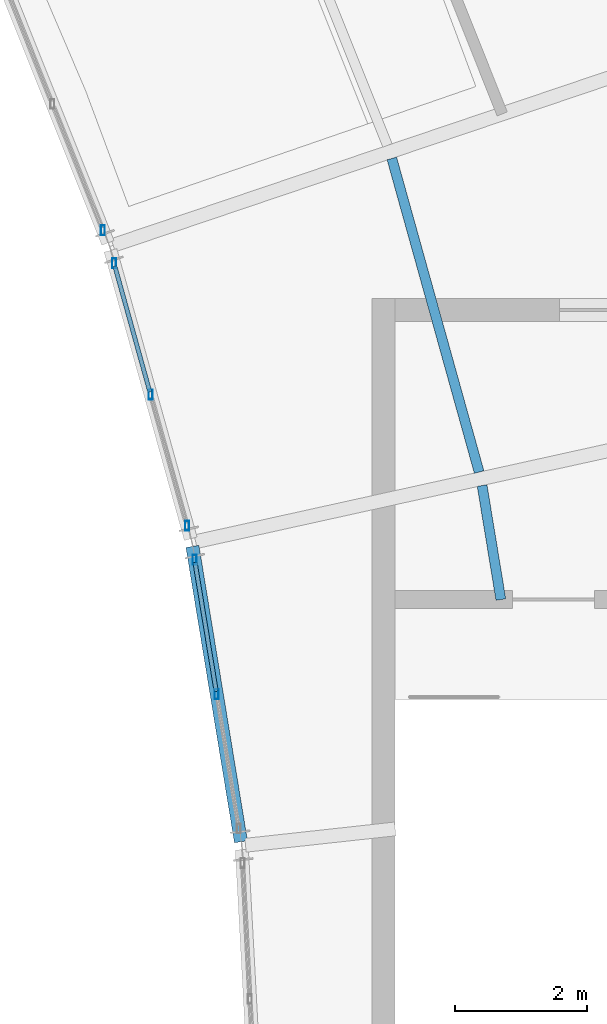
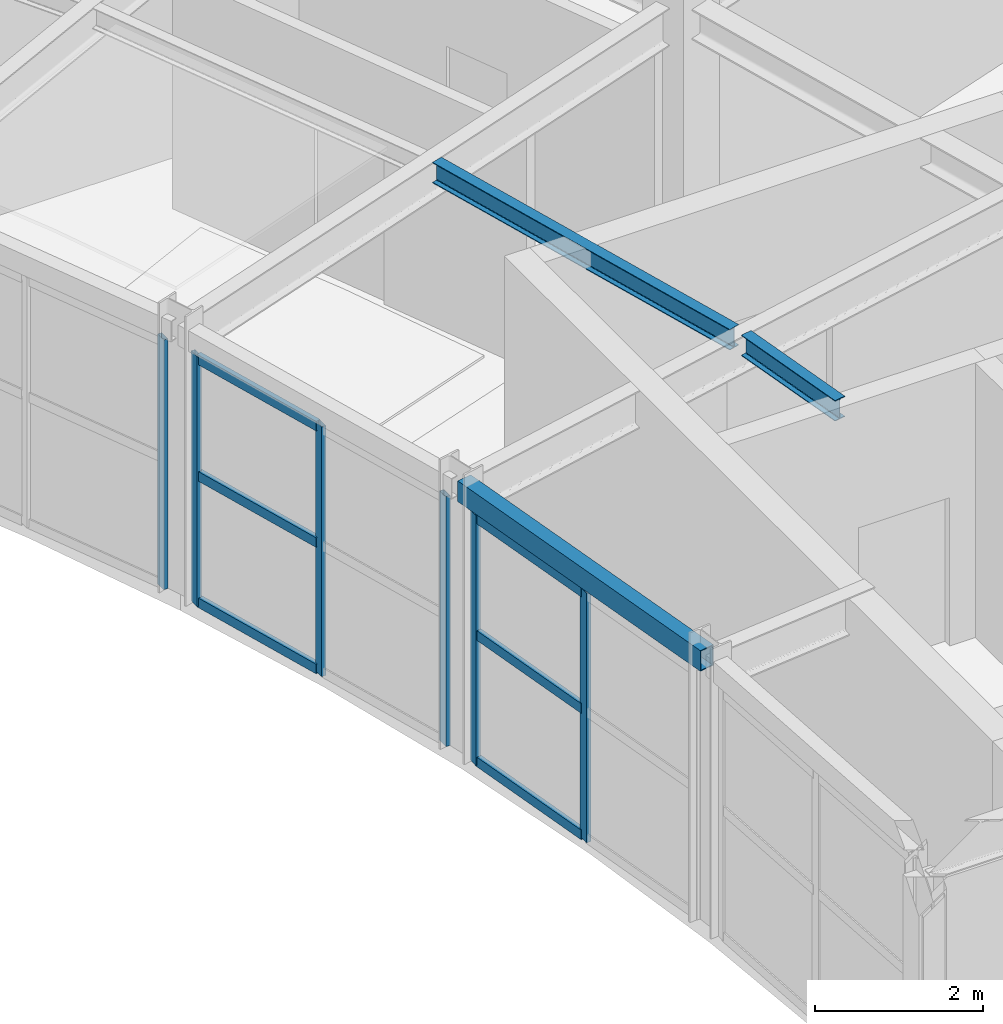
# One storey, part 10 of 29: 12 members, 3 beams, 3 elements without a shape of their own.
"""IFC4 building model written with IfcOpenShell, lengths in metres."""

from ifc_helpers import new_model, si_unit, direction, frame, origin, origin_2d, place, context, subcontext, project, spatial, hollow_rectangle, i_section, extrude, material, material_profile, profile_set, type_object, element, aggregate, save


model = new_model("IFC4")

# Units and contexts
model_context = context("Model", 3, precision=1e-05, world=origin(), true_north=direction((0.0, 1.0)))
body_context = subcontext(model_context, "Body", "Model", "MODEL_VIEW")
ifc_project = project(units=[si_unit("LENGTHUNIT", "METRE"), si_unit("AREAUNIT", "SQUARE_METRE"), si_unit("VOLUMEUNIT", "CUBIC_METRE"), si_unit("PLANEANGLEUNIT", "RADIAN"), si_unit("MASSUNIT", "GRAM", prefix="KILO")], contexts=[model_context])

# Site, building, storey
site_placement = place(None, origin())
site = spatial("IfcSite", under=ifc_project, at=site_placement, CompositionType="ELEMENT")
building_placement = place(site_placement, origin())
building = spatial("IfcBuilding", under=site, at=building_placement, Name="Tarnveldt Headland Concert Hall", CompositionType="ELEMENT")
storey_placement = place(building_placement, frame((0.0, 0.0, 18.60009765625)))
storey = spatial("IfcBuildingStorey", under=building, at=storey_placement, Name="L04", CompositionType="ELEMENT", Elevation=18.60009765625)

# Curtain wall, members
ifc_material_1 = material(Name="Marine-anodised aluminium EN AW-6063-T6", Category="aluminium")
curtain_wall_type = type_object("IfcCurtainWallType", Name="CW-C5", PredefinedType="NOTDEFINED", material=ifc_material_1)
curtain_wall_1_placement = place(storey_placement, origin())
curtain_wall_1 = element("IfcCurtainWall", 1, at=curtain_wall_1_placement, inside=storey, type_object=curtain_wall_type, Name="Curtain wall CW-L04-148", PredefinedType="NOTDEFINED")
ifc_material_profile_1 = material_profile(ifc_material_1, hollow_rectangle(XDim=0.06005859375, YDim=0.14990234375, WallThickness=0.00390625, at=origin_2d()), Name="ALU MULLION 60x150x4", Category="aluminium")
ifc_profile_set_1 = profile_set([ifc_material_profile_1], Name="Marine-anodised aluminium EN AW-6063-T6")
member_type_1 = type_object("IfcMemberType", Name="ML-150", PredefinedType="MULLION", material=ifc_profile_set_1)
member_1_placement = place(storey_placement, frame((159.8681640625, 66.96337890625, 0.0), z_axis=(0.0, 0.0, 1.0), x_axis=(1.0, 0.0, 0.0)))
member_1 = element("IfcMember", 2, at=member_1_placement, type_object=member_type_1, Name="Mullion CW-L04-148-2", PredefinedType="MULLION", context=body_context, shape_type="SweptSolid", body=[
    extrude(hollow_rectangle(XDim=0.06005859375, YDim=0.14990234375, WallThickness=0.00390625, at=origin_2d()), origin(), (0.0, 0.0, 1.0), 3.619873046875),
])
member_2_placement = place(storey_placement, frame((159.53271484375, 69.004638671875, 0.0), z_axis=(0.0, 0.0, 1.0), x_axis=(1.0, 0.0, 0.0)))
member_2 = element("IfcMember", 3, at=member_2_placement, type_object=member_type_1, Name="Mullion CW-L04-148-3", PredefinedType="MULLION", context=body_context, shape_type="SweptSolid", body=[
    extrude(hollow_rectangle(XDim=0.06005859375, YDim=0.14990234375, WallThickness=0.00390625, at=origin_2d()), origin(), (0.0, 0.0, 1.0), 3.619873046875),
])

curtain_wall_2_placement = place(storey_placement, origin())
curtain_wall_2 = element("IfcCurtainWall", 4, at=curtain_wall_2_placement, inside=storey, type_object=curtain_wall_type, Name="Curtain wall CW-L04-149", PredefinedType="NOTDEFINED")
member_3_placement = place(storey_placement, frame((159.418701171875, 69.521484375, 0.0), z_axis=(0.0, 0.0, 1.0), x_axis=(1.0, 0.0, 0.0)))
member_3 = element("IfcMember", 5, at=member_3_placement, type_object=member_type_1, Name="Mullion CW-L04-149-1", PredefinedType="MULLION", context=body_context, shape_type="SweptSolid", body=[
    extrude(hollow_rectangle(XDim=0.06005859375, YDim=0.14990234375, WallThickness=0.00390625, at=origin_2d()), origin(), (0.0, 0.0, 1.0), 3.619873046875),
])
member_4_placement = place(storey_placement, frame((158.864013671875, 71.514404296875, 0.0), z_axis=(0.0, 0.0, 1.0), x_axis=(1.0, 0.0, 0.0)))
member_4 = element("IfcMember", 6, at=member_4_placement, type_object=member_type_1, Name="Mullion CW-L04-149-2", PredefinedType="MULLION", context=body_context, shape_type="SweptSolid", body=[
    extrude(hollow_rectangle(XDim=0.06005859375, YDim=0.14990234375, WallThickness=0.00390625, at=origin_2d()), origin(), (0.0, 0.0, 1.0), 3.619873046875),
])
member_5_placement = place(storey_placement, frame((158.30908203125, 73.50732421875, 0.0), z_axis=(0.0, 0.0, 1.0), x_axis=(1.0, 0.0, 0.0)))
member_5 = element("IfcMember", 7, at=member_5_placement, type_object=member_type_1, Name="Mullion CW-L04-149-3", PredefinedType="MULLION", context=body_context, shape_type="SweptSolid", body=[
    extrude(hollow_rectangle(XDim=0.06005859375, YDim=0.14990234375, WallThickness=0.00390625, at=origin_2d()), origin(), (0.0, 0.0, 1.0), 3.619873046875),
])

# Curtain wall, member
curtain_wall_3_placement = place(storey_placement, origin())
curtain_wall_3 = element("IfcCurtainWall", 8, at=curtain_wall_3_placement, inside=storey, type_object=curtain_wall_type, Name="Curtain wall CW-L04-150", PredefinedType="NOTDEFINED")
member_6_placement = place(storey_placement, frame((158.139892578125, 74.0087890625, 0.0), z_axis=(0.0, 0.0, 1.0), x_axis=(1.0, 0.0, 0.0)))
member_6 = element("IfcMember", 9, at=member_6_placement, type_object=member_type_1, Name="Mullion CW-L04-150-1", PredefinedType="MULLION", context=body_context, shape_type="SweptSolid", body=[
    extrude(hollow_rectangle(XDim=0.06005859375, YDim=0.14990234375, WallThickness=0.00390625, at=origin_2d()), origin(), (0.0, 0.0, 1.0), 3.619873046875),
])
aggregate(curtain_wall_3, [member_6])

# Beams
ifc_material_2 = material(Name="Steel S355", Category="steel")
ifc_material_profile_2 = material_profile(ifc_material_2, i_section(OverallWidth=0.14990234375, OverallDepth=0.300048828125, WebThickness=0.007080078125, FlangeThickness=0.0107421875, FilletRadius=0.014892578125, at=origin_2d()), Name="IPE300", Category="steel")
ifc_profile_set_2 = profile_set([ifc_material_profile_2], Name="Steel S355")
beam_type_1 = type_object("IfcBeamType", Name="SB-IPE300", PredefinedType="JOIST", material=ifc_profile_set_2)
beam_1_placement = place(storey_placement, frame((164.185791015625, 68.39990234375, 3.85498046875), z_axis=(-0.162278935667, 0.986744925013, 0.0), x_axis=(-0.986744925013, -0.162278935667, 0.0)))
element("IfcBeam", 10, at=beam_1_placement, inside=storey, type_object=beam_type_1, Name="Framing beam L04-1368", PredefinedType="JOIST", context=body_context, shape_type="SweptSolid", body=[
    extrude(i_section(OverallWidth=0.14990234375, OverallDepth=0.300048828125, WebThickness=0.007080078125, FlangeThickness=0.0107421875, FilletRadius=0.014892578125, at=origin_2d()), origin(), (0.0, 0.0, 1.0), 1.755615234375),
])
beam_2_placement = place(storey_placement, frame((163.855712890625, 70.337158203125, 3.829833984375), z_axis=(-0.268142838284, 0.963379166412, 0.0), x_axis=(-0.963379166412, -0.268142838284, 0.0)))
element("IfcBeam", 11, at=beam_2_placement, inside=storey, type_object=beam_type_1, Name="Framing beam L04-1375", PredefinedType="JOIST", context=body_context, shape_type="SweptSolid", body=[
    extrude(i_section(OverallWidth=0.14990234375, OverallDepth=0.300048828125, WebThickness=0.007080078125, FlangeThickness=0.0107421875, FilletRadius=0.014892578125, at=origin_2d()), origin(), (0.0, 0.0, 1.0), 4.94580078125),
])
ifc_material_profile_3 = material_profile(ifc_material_2, hollow_rectangle(XDim=0.199951171875, YDim=0.300048828125, WallThickness=0.012451171875, at=origin_2d()), Name="RHS 300x200x12.5", Category="steel")
ifc_profile_set_3 = profile_set([ifc_material_profile_3], Name="Steel S355")
beam_type_2 = type_object("IfcBeamType", Name="SB-RHS300", PredefinedType="SPANDREL", material=ifc_profile_set_3)
beam_3_placement = place(storey_placement, frame((160.237060546875, 64.7197265625, 3.85498046875), z_axis=(-0.162187266023, 0.986759996524, 0.0), x_axis=(-0.986759996524, -0.162187266023, 0.0)))
element("IfcBeam", 12, at=beam_3_placement, inside=storey, type_object=beam_type_2, Name="Framing beam L04-1364", PredefinedType="SPANDREL", context=body_context, shape_type="SweptSolid", body=[
    extrude(hollow_rectangle(XDim=0.199951171875, YDim=0.300048828125, WallThickness=0.012451171875, at=origin_2d()), origin(), (0.0, 0.0, 1.0), 4.547607421875),
])

# Member
ifc_material_profile_4 = material_profile(ifc_material_1, hollow_rectangle(XDim=0.06494140625, YDim=0.139892578125, WallThickness=0.00390625, at=origin_2d()), Name="ALU TRANSOM 65x140x4", Category="aluminium")
ifc_profile_set_4 = profile_set([ifc_material_profile_4], Name="Marine-anodised aluminium EN AW-6063-T6")
member_type_2 = type_object("IfcMemberType", Name="TR-140", PredefinedType="MEMBER", material=ifc_profile_set_4)
member_7_placement = place(storey_placement, frame((159.861328125, 67.0048828125, 0.0498046875), z_axis=(-0.162124564427, 0.986770300328, 0.0), x_axis=(-0.986770300328, -0.162124564427, 0.0)))
member_7 = element("IfcMember", 13, at=member_7_placement, type_object=member_type_2, Name="Transom CW-L04-148-2-1", PredefinedType="MEMBER", context=body_context, shape_type="SweptSolid", body=[
    extrude(hollow_rectangle(XDim=0.06494140625, YDim=0.139892578125, WallThickness=0.00390625, at=origin_2d()), origin(), (0.0, 0.0, 1.0), 1.98486328125),
])

member_8_placement = place(storey_placement, frame((159.861328125, 67.0048828125, 1.88232421875), z_axis=(-0.162124564427, 0.986770300328, 0.0), x_axis=(-0.986770300328, -0.162124564427, 0.0)))
member_8 = element("IfcMember", 14, at=member_8_placement, type_object=member_type_2, Name="Transom CW-L04-148-2-2", PredefinedType="MEMBER", context=body_context, shape_type="SweptSolid", body=[
    extrude(hollow_rectangle(XDim=0.06494140625, YDim=0.139892578125, WallThickness=0.00390625, at=origin_2d()), origin(), (0.0, 0.0, 1.0), 1.98486328125),
])

member_9_placement = place(storey_placement, frame((159.861328125, 67.0048828125, 3.56982421875), z_axis=(-0.162124564427, 0.986770300328, 0.0), x_axis=(-0.986770300328, -0.162124564427, 0.0)))
member_9 = element("IfcMember", 15, at=member_9_placement, type_object=member_type_2, Name="Transom CW-L04-148-2-3", PredefinedType="MEMBER", context=body_context, shape_type="SweptSolid", body=[
    extrude(hollow_rectangle(XDim=0.06494140625, YDim=0.139892578125, WallThickness=0.00390625, at=origin_2d()), origin(), (0.0, 0.0, 1.0), 1.98486328125),
])

aggregate(curtain_wall_1, [member_1, member_2, member_7, member_8, member_9])

member_10_placement = place(storey_placement, frame((158.8525390625, 71.554931640625, 0.0498046875), z_axis=(-0.268068957381, 0.963399727054, 0.0), x_axis=(-0.963399727054, -0.268068957381, 0.0)))
member_10 = element("IfcMember", 16, at=member_10_placement, type_object=member_type_2, Name="Transom CW-L04-149-2-1", PredefinedType="MEMBER", context=body_context, shape_type="SweptSolid", body=[
    extrude(hollow_rectangle(XDim=0.06494140625, YDim=0.139892578125, WallThickness=0.00390625, at=origin_2d()), origin(), (0.0, 0.0, 1.0), 1.984619140625),
])

member_11_placement = place(storey_placement, frame((158.8525390625, 71.554931640625, 1.88232421875), z_axis=(-0.268068957381, 0.963399727054, 0.0), x_axis=(-0.963399727054, -0.268068957381, 0.0)))
member_11 = element("IfcMember", 17, at=member_11_placement, type_object=member_type_2, Name="Transom CW-L04-149-2-2", PredefinedType="MEMBER", context=body_context, shape_type="SweptSolid", body=[
    extrude(hollow_rectangle(XDim=0.06494140625, YDim=0.139892578125, WallThickness=0.00390625, at=origin_2d()), origin(), (0.0, 0.0, 1.0), 1.984619140625),
])

member_12_placement = place(storey_placement, frame((158.8525390625, 71.554931640625, 3.56982421875), z_axis=(-0.268068957381, 0.963399727054, 0.0), x_axis=(-0.963399727054, -0.268068957381, 0.0)))
member_12 = element("IfcMember", 18, at=member_12_placement, type_object=member_type_2, Name="Transom CW-L04-149-2-3", PredefinedType="MEMBER", context=body_context, shape_type="SweptSolid", body=[
    extrude(hollow_rectangle(XDim=0.06494140625, YDim=0.139892578125, WallThickness=0.00390625, at=origin_2d()), origin(), (0.0, 0.0, 1.0), 1.984619140625),
])

aggregate(curtain_wall_2, [member_3, member_4, member_5, member_10, member_11, member_12])

save(model, "model.ifc")
